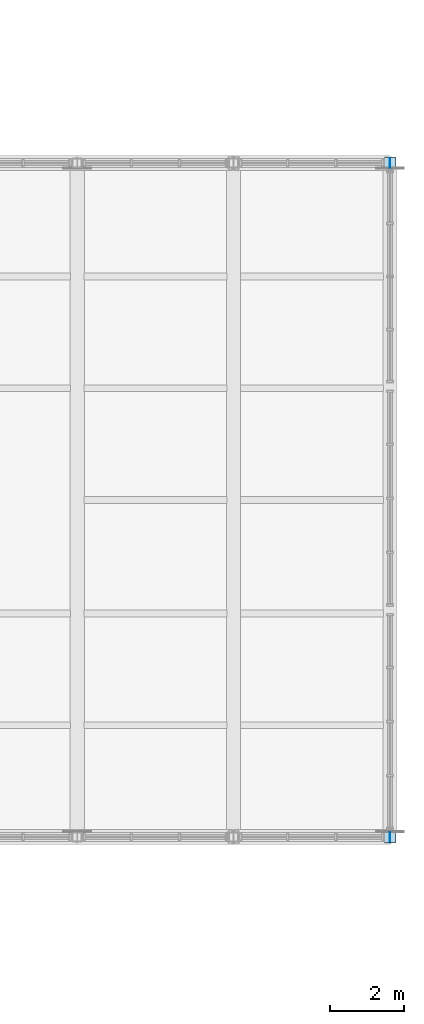
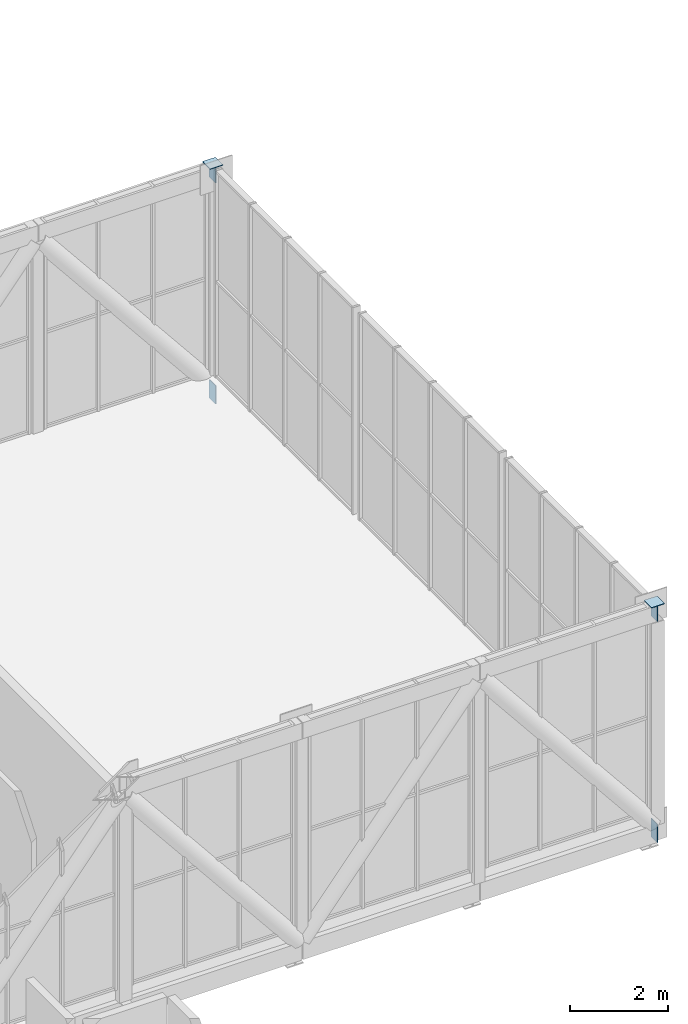
# One storey, part 54 of 58: 6 plates.
"""IFC4 building model written with IfcOpenShell, lengths in metres."""

from ifc_helpers import new_model, si_unit, direction, frame, origin, origin_2d, place, context, subcontext, project, spatial, rectangle, extrude, material, layer, layer_set, type_object, element, save


model = new_model("IFC4")

# Units and contexts
model_context = context("Model", 3, precision=1e-05, world=origin(), true_north=direction((0.0, 1.0)))
body_context = subcontext(model_context, "Body", "Model", "MODEL_VIEW")
ifc_project = project(units=[si_unit("LENGTHUNIT", "METRE"), si_unit("AREAUNIT", "SQUARE_METRE"), si_unit("VOLUMEUNIT", "CUBIC_METRE"), si_unit("PLANEANGLEUNIT", "RADIAN"), si_unit("MASSUNIT", "GRAM", prefix="KILO")], contexts=[model_context])

# Site, building, storey
site_placement = place(None, origin())
site = spatial("IfcSite", under=ifc_project, at=site_placement, CompositionType="ELEMENT")
building_placement = place(site_placement, origin())
building = spatial("IfcBuilding", under=site, at=building_placement, Name="Khurvash Pelagic Aquarium", CompositionType="ELEMENT")
storey_placement = place(building_placement, frame((0.0, 0.0, 24.60009765625)))
storey = spatial("IfcBuildingStorey", under=building, at=storey_placement, Name="L05", CompositionType="ELEMENT", Elevation=24.60009765625)

# Plates
ifc_material = material(Name="Steel S355J2", Category="steel")
ifc_layer_1 = layer(ifc_material, 0.02001953125)
ifc_layer_set_1 = layer_set([ifc_layer_1], Name="Steel S355J2")
plate_type_1 = type_object("IfcPlateType", Name="CP-01", PredefinedType="SHEET", material=ifc_layer_set_1)
for number, where, z_axis, x_axis, name in (
    (1, (121.800048828125, 11.64990234375, -0.755126953125), (0.0, 0.0, 1.0), (0.0, 1.0, 0.0), "L05 South Hollow Chord End-Cap Plate CP-01"),
    (2, (121.800048828125, 29.75, -0.755126953125), (0.0, 0.0, 1.0), (0.0, 1.0, 0.0), "L05 North Hollow Chord End-Cap Plate CP-01"),
):
    element("IfcPlate", number, at=place(storey_placement, frame(where, z_axis=z_axis, x_axis=x_axis)), inside=storey, type_object=plate_type_1, Name=name, PredefinedType="SHEET", context=body_context, shape_type="SweptSolid", body=[
        extrude(rectangle(XDim=0.260009765625, YDim=0.02001953125, at=origin_2d()), origin(), (0.0, 0.0, 1.0), 0.4599609375),
    ])
ifc_layer_2 = layer(ifc_material, 0.01611328125)
ifc_layer_set_2 = layer_set([ifc_layer_2], Name="Steel S355J2")
plate_type_2 = type_object("IfcPlateType", Name="CP-02", PredefinedType="SHEET", material=ifc_layer_set_2)
for number, where, z_axis, x_axis, name in (
    (3, (121.798095703125, 11.64990234375, 4.77490234375), (0.0, 0.0, 1.0), (0.0, 1.0, 0.0), "L05 South Hollow Chord End-Cap Plate CP-02"),
    (4, (121.798095703125, 29.75, 4.77490234375), (0.0, 0.0, 1.0), (0.0, 1.0, 0.0), "L05 North Hollow Chord End-Cap Plate CP-02"),
):
    element("IfcPlate", number, at=place(storey_placement, frame(where, z_axis=z_axis, x_axis=x_axis)), inside=storey, type_object=plate_type_2, Name=name, PredefinedType="SHEET", context=body_context, shape_type="SweptSolid", body=[
        extrude(rectangle(XDim=0.260009765625, YDim=0.01611328125, at=origin_2d()), origin(), (0.0, 0.0, 1.0), 0.409912109375),
    ])
ifc_layer_3 = layer(ifc_material, 0.01611328125)
ifc_layer_set_3 = layer_set([ifc_layer_3], Name="Steel S355J2")
plate_type_3 = type_object("IfcPlateType", Name="CP-03", PredefinedType="SHEET", material=ifc_layer_set_3)
for number, where, z_axis, x_axis, name in (
    (5, (121.800048828125, 11.64990234375, 5.179931640625), (0.0, 0.0, 1.0), (1.0, 0.0, 0.0), "L05 South Hollow Post Top End-Cap Plate CP-03"),
    (6, (121.800048828125, 29.75, 5.179931640625), (0.0, 0.0, 1.0), (1.0, 0.0, 0.0), "L05 North Hollow Post Top End-Cap Plate CP-03"),
):
    element("IfcPlate", number, at=place(storey_placement, frame(where, z_axis=z_axis, x_axis=x_axis)), inside=storey, type_object=plate_type_3, Name=name, PredefinedType="SHEET", context=body_context, shape_type="SweptSolid", body=[
        extrude(rectangle(XDim=0.31005859375, YDim=0.31005859375, at=origin_2d()), origin(), (0.0, 0.0, 1.0), 0.01611328125),
    ])

save(model, "model.ifc")
